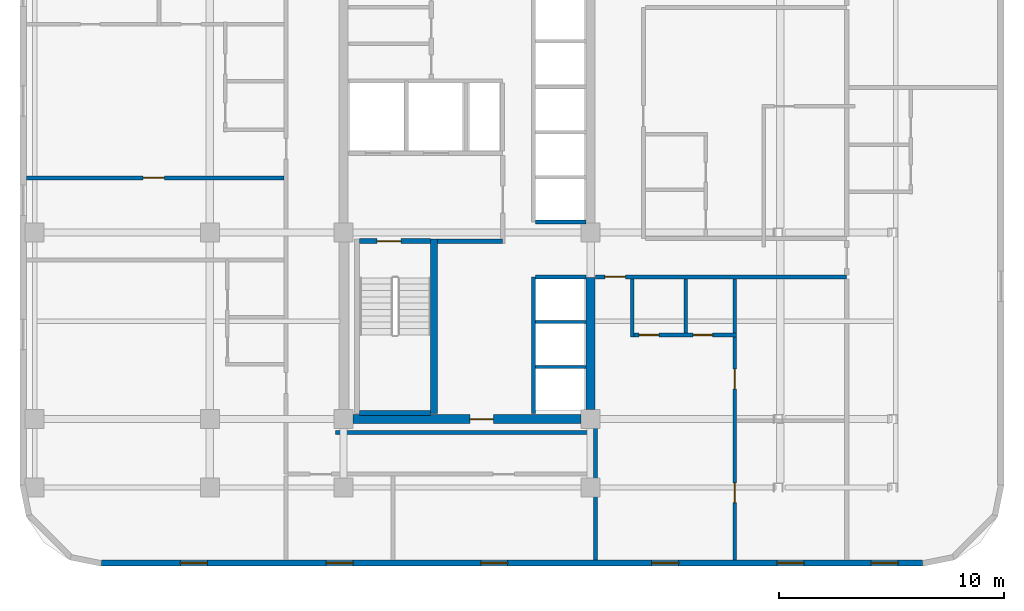
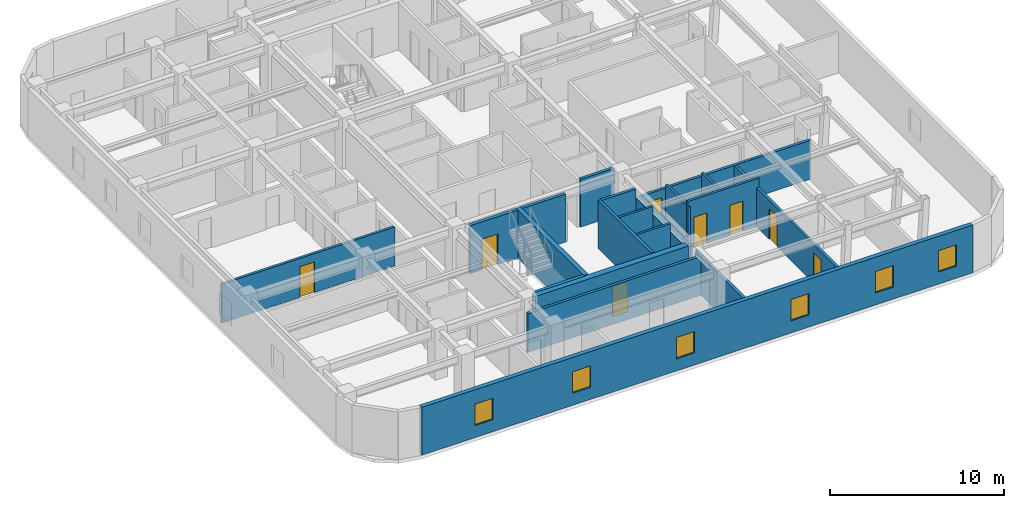
# One storey, part 3 of 8: 20 walls, 8 doors, 6 windows, 14 openings.
"""IFC4 building model written with IfcOpenShell, lengths in metres."""

from ifc_helpers import new_model, si_unit, direction, frame, frame_2d, origin, place, context, subcontext, project, spatial, rectangle, extrude, material, layer, layer_set, type_object, element, fill, save


model = new_model("IFC4")

# Units and contexts
model_context = context("Model", 3, precision=1e-05, world=origin(), true_north=direction((0.0, 1.0)))
body_context = subcontext(model_context, "Body", "Model", "MODEL_VIEW")
ifc_project = project(units=[si_unit("LENGTHUNIT", "METRE"), si_unit("AREAUNIT", "SQUARE_METRE"), si_unit("VOLUMEUNIT", "CUBIC_METRE"), si_unit("PLANEANGLEUNIT", "RADIAN"), si_unit("MASSUNIT", "GRAM", prefix="KILO")], contexts=[model_context])

# Site, building, storey
site_placement = place(None, origin())
site = spatial("IfcSite", under=ifc_project, at=site_placement, CompositionType="ELEMENT")
building_placement = place(site_placement, origin())
building = spatial("IfcBuilding", under=site, at=building_placement, Name="Ochreholt Gables", CompositionType="ELEMENT")
storey_placement = place(building_placement, frame((0.0, 0.0, 102.60009765625)))
storey = spatial("IfcBuildingStorey", under=building, at=storey_placement, Name="L26", CompositionType="ELEMENT", Elevation=102.60009765625)

# Wall
ifc_material_1 = material(Name="Concrete 60 MPa", Category="concrete")
ifc_layer_1 = layer(ifc_material_1, 0.39990234375, Name="Concrete 60 MPa")
ifc_layer_set_1 = layer_set([ifc_layer_1], Name="Concrete 60 MPa")
wall_type_1 = type_object("IfcWallType", Name="WALL-CSW-400", PredefinedType="SHEAR", material=ifc_layer_set_1)
wall_1_placement = place(storey_placement, frame((35.199951171875, 9.675048828125, 0.0), z_axis=(0.0, 0.0, 1.0), x_axis=(0.0, 1.0, 0.0)))
element("IfcWall", 1, at=wall_1_placement, inside=storey, type_object=wall_type_1, Name="L26 Core South-East Shear Wall", PredefinedType="SHEAR", context=body_context, shape_type="SweptSolid", body=[
    extrude(rectangle(XDim=5.875, YDim=0.39990234375, at=frame_2d((2.9375, 0.0))), origin(), (0.0, 0.0, 1.0), 2.7490234375),
])

# Wall, opening, door
wall_2_placement = place(storey_placement, frame((24.625, 9.25, 0.0), z_axis=(0.0, 0.0, 1.0), x_axis=(1.0, 0.0, 0.0)))
wall_2 = element("IfcWall", 2, at=wall_2_placement, inside=storey, type_object=wall_type_1, Name="L26 Core South Shear Wall", PredefinedType="SHEAR", context=body_context, shape_type="SweptSolid", body=[
    extrude(rectangle(XDim=10.14990234375, YDim=0.39990234375, at=frame_2d((5.074951171875, 0.0))), origin(), (0.0, 0.0, 1.0), 3.35986328125),
])
opening_1_placement = place(wall_2_placement, frame((5.199951171875, 0.0, 0.0)))
opening_1 = element("IfcOpeningElement", 3, at=opening_1_placement, cuts=wall_2, Name="Opening D-FLB", PredefinedType="OPENING", context=body_context, shape_type="SweptSolid", body=[
    extrude(rectangle(XDim=1.050048828125, YDim=2.14990234375, at=frame_2d((0.52490234375, 1.074951171875))), frame((0.0, 0.2099609375, 0.0), z_axis=(0.0, -1.0, 0.0), x_axis=(1.0, 0.0, 0.0)), (0.0, 0.0, 1.0), 0.419921875),
])
ifc_material_2 = material(Name="Hollow Metal Steel", Category="steel")
door_type_1 = type_object("IfcDoorType", Name="DR-INT-FLB1050", OperationType="NOTDEFINED", PredefinedType="DOOR", material=ifc_material_2)
door_1_placement = place(opening_1_placement, origin())
door_1 = element("IfcDoor", 4, at=door_1_placement, inside=storey, type_object=door_type_1, Name="L26 Door D-C2CRS-L26", OperationType="SINGLE_SWING_LEFT", OverallHeight=2.14990234375, OverallWidth=1.050048828125, PredefinedType="DOOR", context=body_context, shape_type="SweptSolid", body=[
    extrude(rectangle(XDim=1.050048828125, YDim=2.14990234375, at=frame_2d((0.52490234375, 1.074951171875))), frame((0.0, 0.02490234375, 0.0), z_axis=(0.0, -1.0, 0.0), x_axis=(1.0, 0.0, 0.0)), (0.0, 0.0, 1.0), 0.050048828125),
])
fill(opening_1, door_1)

# Wall, openings, windows
ifc_material_3 = material(Name="Precast concrete 40 MPa", Category="concrete")
ifc_layer_2 = layer(ifc_material_3, 0.280029296875, Name="Precast concrete 40 MPa")
ifc_layer_set_2 = layer_set([ifc_layer_2], Name="Precast concrete 40 MPa")
wall_type_2 = type_object("IfcWallType", Name="WALL-EXT-280", PredefinedType="SOLIDWALL", material=ifc_layer_set_2)
wall_3_placement = place(storey_placement, frame((13.419921875, 2.840087890625, 0.0), z_axis=(0.0, 0.0, 1.0), x_axis=(1.0, 0.0, 0.0)))
wall_3 = element("IfcWall", 5, at=wall_3_placement, inside=storey, type_object=wall_type_2, Name="L26 South Exterior Wall", PredefinedType="SOLIDWALL", context=body_context, shape_type="SweptSolid", body=[
    extrude(rectangle(XDim=36.56005859375, YDim=0.280029296875, at=frame_2d((18.280029296875, 0.0))), origin(), (0.0, 0.0, 1.0), 3.35986328125),
])
opening_2_placement = place(wall_3_placement, frame((3.514892578125, 0.0, 0.85009765625)))
opening_2 = element("IfcOpeningElement", 6, at=opening_2_placement, cuts=wall_3, Name="Opening WN-3", PredefinedType="OPENING", context=body_context, shape_type="SweptSolid", body=[
    extrude(rectangle(XDim=1.199951171875, YDim=1.5, at=frame_2d((0.60009765625, 0.75))), frame((0.0, 0.14990234375, 0.0), z_axis=(0.0, -1.0, 0.0), x_axis=(1.0, 0.0, 0.0)), (0.0, 0.0, 1.0), 0.300048828125),
])
opening_3_placement = place(wall_3_placement, frame((10.0048828125, 0.0, 0.85009765625)))
opening_3 = element("IfcOpeningElement", 7, at=opening_3_placement, cuts=wall_3, Name="Opening WN-3", PredefinedType="OPENING", context=body_context, shape_type="SweptSolid", body=[
    extrude(rectangle(XDim=1.199951171875, YDim=1.5, at=frame_2d((0.60009765625, 0.75))), frame((0.0, 0.14990234375, 0.0), z_axis=(0.0, -1.0, 0.0), x_axis=(1.0, 0.0, 0.0)), (0.0, 0.0, 1.0), 0.300048828125),
])
opening_4_placement = place(wall_3_placement, frame((16.889892578125, 0.0, 0.85009765625)))
opening_4 = element("IfcOpeningElement", 8, at=opening_4_placement, cuts=wall_3, Name="Opening WN-3", PredefinedType="OPENING", context=body_context, shape_type="SweptSolid", body=[
    extrude(rectangle(XDim=1.199951171875, YDim=1.5, at=frame_2d((0.60009765625, 0.75))), frame((0.0, 0.14990234375, 0.0), z_axis=(0.0, -1.0, 0.0), x_axis=(1.0, 0.0, 0.0)), (0.0, 0.0, 1.0), 0.300048828125),
])
opening_5_placement = place(wall_3_placement, frame((24.4951171875, 0.0, 0.85009765625)))
opening_5 = element("IfcOpeningElement", 9, at=opening_5_placement, cuts=wall_3, Name="Opening WN-3", PredefinedType="OPENING", context=body_context, shape_type="SweptSolid", body=[
    extrude(rectangle(XDim=1.199951171875, YDim=1.5, at=frame_2d((0.60009765625, 0.75))), frame((0.0, 0.14990234375, 0.0), z_axis=(0.0, -1.0, 0.0), x_axis=(1.0, 0.0, 0.0)), (0.0, 0.0, 1.0), 0.300048828125),
])
opening_6_placement = place(wall_3_placement, frame((30.0849609375, 0.0, 0.85009765625)))
opening_6 = element("IfcOpeningElement", 10, at=opening_6_placement, cuts=wall_3, Name="Opening WN-3", PredefinedType="OPENING", context=body_context, shape_type="SweptSolid", body=[
    extrude(rectangle(XDim=1.199951171875, YDim=1.5, at=frame_2d((0.60009765625, 0.75))), frame((0.0, 0.14990234375, 0.0), z_axis=(0.0, -1.0, 0.0), x_axis=(1.0, 0.0, 0.0)), (0.0, 0.0, 1.0), 0.300048828125),
])
opening_7_placement = place(wall_3_placement, frame((34.27001953125, 0.0, 0.85009765625)))
opening_7 = element("IfcOpeningElement", 11, at=opening_7_placement, cuts=wall_3, Name="Opening WN-3", PredefinedType="OPENING", context=body_context, shape_type="SweptSolid", body=[
    extrude(rectangle(XDim=1.199951171875, YDim=1.5, at=frame_2d((0.60009765625, 0.75))), frame((0.0, 0.14990234375, 0.0), z_axis=(0.0, -1.0, 0.0), x_axis=(1.0, 0.0, 0.0)), (0.0, 0.0, 1.0), 0.300048828125),
])
ifc_material_4 = material(Name="Triple-Glazed Thermally Broken Aluminium Window", Category="aluminium")
window_type = type_object("IfcWindowType", Name="WIN-RES-1200", PartitioningType="SINGLE_PANEL", PredefinedType="WINDOW", material=ifc_material_4)
window_1_placement = place(opening_2_placement, origin())
window_1 = element("IfcWindow", 12, at=window_1_placement, inside=storey, type_object=window_type, Name="L26 Window W-EXT-S-L26-1", OverallHeight=1.5, OverallWidth=1.199951171875, PartitioningType="SINGLE_PANEL", PredefinedType="WINDOW", context=body_context, shape_type="SweptSolid", body=[
    extrude(rectangle(XDim=1.199951171875, YDim=1.5, at=frame_2d((0.60009765625, 0.75))), frame((0.0, 0.030029296875, 0.0), z_axis=(0.0, -1.0, 0.0), x_axis=(1.0, 0.0, 0.0)), (0.0, 0.0, 1.0), 0.06005859375),
])
fill(opening_2, window_1)
window_2_placement = place(opening_3_placement, origin())
window_2 = element("IfcWindow", 13, at=window_2_placement, inside=storey, type_object=window_type, Name="L26 Window W-EXT-S-L26-2", OverallHeight=1.5, OverallWidth=1.199951171875, PartitioningType="SINGLE_PANEL", PredefinedType="WINDOW", context=body_context, shape_type="SweptSolid", body=[
    extrude(rectangle(XDim=1.199951171875, YDim=1.5, at=frame_2d((0.60009765625, 0.75))), frame((0.0, 0.030029296875, 0.0), z_axis=(0.0, -1.0, 0.0), x_axis=(1.0, 0.0, 0.0)), (0.0, 0.0, 1.0), 0.06005859375),
])
fill(opening_3, window_2)
window_3_placement = place(opening_4_placement, origin())
window_3 = element("IfcWindow", 14, at=window_3_placement, inside=storey, type_object=window_type, Name="L26 Window W-EXT-S-L26-3", OverallHeight=1.5, OverallWidth=1.199951171875, PartitioningType="SINGLE_PANEL", PredefinedType="WINDOW", context=body_context, shape_type="SweptSolid", body=[
    extrude(rectangle(XDim=1.199951171875, YDim=1.5, at=frame_2d((0.60009765625, 0.75))), frame((0.0, 0.030029296875, 0.0), z_axis=(0.0, -1.0, 0.0), x_axis=(1.0, 0.0, 0.0)), (0.0, 0.0, 1.0), 0.06005859375),
])
fill(opening_4, window_3)
window_4_placement = place(opening_5_placement, origin())
window_4 = element("IfcWindow", 15, at=window_4_placement, inside=storey, type_object=window_type, Name="L26 Window W-EXT-S-L26-4", OverallHeight=1.5, OverallWidth=1.199951171875, PartitioningType="SINGLE_PANEL", PredefinedType="WINDOW", context=body_context, shape_type="SweptSolid", body=[
    extrude(rectangle(XDim=1.199951171875, YDim=1.5, at=frame_2d((0.60009765625, 0.75))), frame((0.0, 0.030029296875, 0.0), z_axis=(0.0, -1.0, 0.0), x_axis=(1.0, 0.0, 0.0)), (0.0, 0.0, 1.0), 0.06005859375),
])
fill(opening_5, window_4)
window_5_placement = place(opening_6_placement, origin())
window_5 = element("IfcWindow", 16, at=window_5_placement, inside=storey, type_object=window_type, Name="L26 Window W-EXT-S-L26-5", OverallHeight=1.5, OverallWidth=1.199951171875, PartitioningType="SINGLE_PANEL", PredefinedType="WINDOW", context=body_context, shape_type="SweptSolid", body=[
    extrude(rectangle(XDim=1.199951171875, YDim=1.5, at=frame_2d((0.60009765625, 0.75))), frame((0.0, 0.030029296875, 0.0), z_axis=(0.0, -1.0, 0.0), x_axis=(1.0, 0.0, 0.0)), (0.0, 0.0, 1.0), 0.06005859375),
])
fill(opening_6, window_5)
window_6_placement = place(opening_7_placement, origin())
window_6 = element("IfcWindow", 17, at=window_6_placement, inside=storey, type_object=window_type, Name="L26 Window W-EXT-S-L26-6", OverallHeight=1.5, OverallWidth=1.199951171875, PartitioningType="SINGLE_PANEL", PredefinedType="WINDOW", context=body_context, shape_type="SweptSolid", body=[
    extrude(rectangle(XDim=1.199951171875, YDim=1.5, at=frame_2d((0.60009765625, 0.75))), frame((0.0, 0.030029296875, 0.0), z_axis=(0.0, -1.0, 0.0), x_axis=(1.0, 0.0, 0.0)), (0.0, 0.0, 1.0), 0.06005859375),
])
fill(opening_7, window_6)

# Wall
ifc_material_5 = material(Name="Concrete 40 MPa", Category="concrete")
ifc_layer_3 = layer(ifc_material_5, 0.199951171875, Name="Concrete 40 MPa")
ifc_layer_set_3 = layer_set([ifc_layer_3], Name="Concrete 40 MPa")
wall_type_3 = type_object("IfcWallType", Name="WALL-INT-CF200", PredefinedType="STANDARD", material=ifc_layer_set_3)
wall_4_placement = place(storey_placement, frame((28.3798828125, 17.169921875, 0.0), z_axis=(0.0, 0.0, 1.0), x_axis=(1.0, 0.0, 0.0)))
element("IfcWall", 18, at=wall_4_placement, inside=storey, type_object=wall_type_3, Name="L26 Interior Wall WI-FFS-L26", PredefinedType="STANDARD", context=body_context, shape_type="SweptSolid", body=[
    extrude(rectangle(XDim=2.900146484375, YDim=0.199951171875, at=frame_2d((1.4501953125, 0.0))), origin(), (0.0, 0.0, 1.0), 3.35986328125),
])

# Wall, opening, door
ifc_material_6 = material(Name="Fire-Rated Gypsum Acoustic Partition", Category="gypsum")
ifc_layer_4 = layer(ifc_material_6, 0.179931640625, Name="Fire-Rated Gypsum Acoustic Partition")
ifc_layer_set_4 = layer_set([ifc_layer_4], Name="Fire-Rated Gypsum Acoustic Partition")
wall_type_4 = type_object("IfcWallType", Name="WALL-INT-CR180", PredefinedType="STANDARD", material=ifc_layer_set_4)
wall_5_placement = place(storey_placement, frame((35.419921875, 15.580078125, 0.0), z_axis=(0.0, 0.0, 1.0), x_axis=(1.0, 0.0, 0.0)))
wall_5 = element("IfcWall", 19, at=wall_5_placement, inside=storey, type_object=wall_type_4, Name="L26 Interior Wall WI-C2SS1-L26", PredefinedType="STANDARD", context=body_context, shape_type="SweptSolid", body=[
    extrude(rectangle(XDim=11.18017578125, YDim=0.179931640625, at=frame_2d((5.590087890625, 0.0))), origin(), (0.0, 0.0, 1.0), 2.73095703125),
])
opening_8_placement = place(wall_5_placement, frame((0.409912109375, 0.0, 0.0)))
opening_8 = element("IfcOpeningElement", 20, at=opening_8_placement, cuts=wall_5, Name="Opening D-UN1", PredefinedType="OPENING", context=body_context, shape_type="SweptSolid", body=[
    extrude(rectangle(XDim=0.919921875, YDim=2.14990234375, at=frame_2d((0.4599609375, 1.074951171875))), frame((0.0, 0.099853515625, 0.0), z_axis=(0.0, -1.0, 0.0), x_axis=(1.0, 0.0, 0.0)), (0.0, 0.0, 1.0), 0.199951171875),
])
ifc_material_7 = material(Name="Engineered Oak Timber", Category="wood")
door_type_2 = type_object("IfcDoorType", Name="DR-INT-UNT920", OperationType="NOTDEFINED", PredefinedType="DOOR", material=ifc_material_7)
door_2_placement = place(opening_8_placement, origin())
door_2 = element("IfcDoor", 21, at=door_2_placement, inside=storey, type_object=door_type_2, Name="L26 Door D-U-L26S1-ENT", OperationType="SINGLE_SWING_RIGHT", OverallHeight=2.14990234375, OverallWidth=0.919921875, PredefinedType="DOOR", context=body_context, shape_type="SweptSolid", body=[
    extrude(rectangle(XDim=0.919921875, YDim=2.14990234375, at=frame_2d((0.4599609375, 1.074951171875))), frame((0.0, 0.02490234375, 0.0), z_axis=(0.0, -1.0, 0.0), x_axis=(1.0, 0.0, 0.0)), (0.0, 0.0, 1.0), 0.050048828125),
])
fill(opening_8, door_2)

# Walls
wall_6_placement = place(storey_placement, frame((23.85009765625, 8.64990234375, 0.0), z_axis=(0.0, 0.0, 1.0), x_axis=(1.0, 0.0, 0.0)))
element("IfcWall", 22, at=wall_6_placement, inside=storey, type_object=wall_type_4, Name="L26 Interior Wall WI-C2WCS2-L26", PredefinedType="STANDARD", context=body_context, shape_type="SweptSolid", body=[
    extrude(rectangle(XDim=11.56982421875, YDim=0.179931640625, at=frame_2d((5.784912109375, 0.0))), origin(), (0.0, 0.0, 1.0), 2.73095703125),
])
ifc_material_8 = material(Name="Double-Stud Acoustic Demising Wall", Category="gypsum")
ifc_layer_5 = layer(ifc_material_8, 0.179931640625, Name="Double-Stud Acoustic Demising Wall")
ifc_layer_set_5 = layer_set([ifc_layer_5], Name="Double-Stud Acoustic Demising Wall")
wall_type_5 = type_object("IfcWallType", Name="WALL-INT-DM180", PredefinedType="PARTITIONING", material=ifc_layer_set_5)
wall_7_placement = place(storey_placement, frame((35.419921875, 2.97998046875, 0.0), z_axis=(0.0, 0.0, 1.0), x_axis=(0.0, 1.0, 0.0)))
element("IfcWall", 23, at=wall_7_placement, inside=storey, type_object=wall_type_5, Name="L26 Interior Wall WI-C2SES-L26", PredefinedType="PARTITIONING", context=body_context, shape_type="SweptSolid", body=[
    extrude(rectangle(XDim=6.27001953125, YDim=0.179931640625, at=frame_2d((3.135009765625, 0.0))), origin(), (0.0, 0.0, 1.0), 2.73095703125),
])

# Wall, openings, doors
ifc_material_9 = material(Name="Moisture-Resistant Plumbing Chase Wall", Category="gypsum")
ifc_layer_6 = layer(ifc_material_9, 0.159912109375, Name="Moisture-Resistant Plumbing Chase Wall")
ifc_layer_set_6 = layer_set([ifc_layer_6], Name="Moisture-Resistant Plumbing Chase Wall")
wall_type_6 = type_object("IfcWallType", Name="WALL-INT-PL160", PredefinedType="PLUMBINGWALL", material=ifc_layer_set_6)
wall_8_placement = place(storey_placement, frame((36.97998046875, 12.992431640625, 0.0), z_axis=(0.0, 0.0, 1.0), x_axis=(1.0, 0.0, 0.0)))
wall_8 = element("IfcWall", 24, at=wall_8_placement, inside=storey, type_object=wall_type_6, Name="L26 Interior Wall WU-L26S1-WY", PredefinedType="PLUMBINGWALL", context=body_context, shape_type="SweptSolid", body=[
    extrude(rectangle(XDim=4.7099609375, YDim=0.159912109375, at=frame_2d((2.35498046875, 0.0))), origin(), (0.0, 0.0, 1.0), 3.35986328125),
])
opening_9_placement = place(wall_8_placement, frame((0.3798828125, 0.0, 0.0)))
opening_9 = element("IfcOpeningElement", 25, at=opening_9_placement, cuts=wall_8, Name="Opening D-GN2", PredefinedType="OPENING", context=body_context, shape_type="SweptSolid", body=[
    extrude(rectangle(XDim=0.8798828125, YDim=2.1201171875, at=frame_2d((0.43994140625, 1.06005859375))), frame((0.0, 0.08984375, 0.0), z_axis=(0.0, -1.0, 0.0), x_axis=(1.0, 0.0, 0.0)), (0.0, 0.0, 1.0), 0.179931640625),
])
opening_10_placement = place(wall_8_placement, frame((2.785888671875, 0.0, 0.0)))
opening_10 = element("IfcOpeningElement", 26, at=opening_10_placement, cuts=wall_8, Name="Opening D-BT1", PredefinedType="OPENING", context=body_context, shape_type="SweptSolid", body=[
    extrude(rectangle(XDim=0.860107421875, YDim=2.1201171875, at=frame_2d((0.43017578125, 1.06005859375))), frame((0.0, 0.08984375, 0.0), z_axis=(0.0, -1.0, 0.0), x_axis=(1.0, 0.0, 0.0)), (0.0, 0.0, 1.0), 0.179931640625),
])
door_type_3 = type_object("IfcDoorType", Name="DR-INT-BTH860", OperationType="NOTDEFINED", PredefinedType="DOOR", material=ifc_material_7)
door_3_placement = place(opening_10_placement, origin())
door_3 = element("IfcDoor", 27, at=door_3_placement, inside=storey, type_object=door_type_3, Name="L26 Door D-U-L26S1-BTH", OperationType="SINGLE_SWING_RIGHT", OverallHeight=2.1201171875, OverallWidth=0.860107421875, PredefinedType="DOOR", context=body_context, shape_type="SweptSolid", body=[
    extrude(rectangle(XDim=0.860107421875, YDim=2.1201171875, at=frame_2d((0.43017578125, 1.06005859375))), frame((0.0, 0.02490234375, 0.0), z_axis=(0.0, -1.0, 0.0), x_axis=(1.0, 0.0, 0.0)), (0.0, 0.0, 1.0), 0.050048828125),
])
fill(opening_10, door_3)
door_type_4 = type_object("IfcDoorType", Name="DR-INT-GEN880", OperationType="NOTDEFINED", PredefinedType="DOOR", material=ifc_material_7)
door_4_placement = place(opening_9_placement, origin())
door_4 = element("IfcDoor", 28, at=door_4_placement, inside=storey, type_object=door_type_4, Name="L26 Door D-U-L26S1-KIT", OperationType="SINGLE_SWING_LEFT", OverallHeight=2.1201171875, OverallWidth=0.8798828125, PredefinedType="DOOR", context=body_context, shape_type="SweptSolid", body=[
    extrude(rectangle(XDim=0.8798828125, YDim=2.1201171875, at=frame_2d((0.43994140625, 1.06005859375))), frame((0.0, 0.02490234375, 0.0), z_axis=(0.0, -1.0, 0.0), x_axis=(1.0, 0.0, 0.0)), (0.0, 0.0, 1.0), 0.050048828125),
])
fill(opening_9, door_4)

# Walls
wall_9_placement = place(storey_placement, frame((37.06005859375, 12.91259765625, 0.0), z_axis=(0.0, 0.0, 1.0), x_axis=(0.0, 1.0, 0.0)))
element("IfcWall", 29, at=wall_9_placement, inside=storey, type_object=wall_type_6, Name="L26 Interior Wall WU-L26S1-FY", PredefinedType="PLUMBINGWALL", context=body_context, shape_type="SweptSolid", body=[
    extrude(rectangle(XDim=2.577392578125, YDim=0.159912109375, at=frame_2d((1.28857421875, 0.0))), origin(), (0.0, 0.0, 1.0), 2.98779296875),
])
wall_10_placement = place(storey_placement, frame((39.426025390625, 13.072509765625, 0.0), z_axis=(0.0, 0.0, 1.0), x_axis=(0.0, 1.0, 0.0)))
element("IfcWall", 30, at=wall_10_placement, inside=storey, type_object=wall_type_6, Name="L26 Interior Wall WU-L26S1-WK", PredefinedType="PLUMBINGWALL", context=body_context, shape_type="SweptSolid", body=[
    extrude(rectangle(XDim=2.41748046875, YDim=0.159912109375, at=frame_2d((1.208740234375, 0.0))), origin(), (0.0, 0.0, 1.0), 2.98779296875),
])

# Wall, openings, doors
ifc_material_10 = material(Name="Gypsum Acoustic Stud Partition", Category="gypsum")
ifc_layer_7 = layer(ifc_material_10, 0.1650390625, Name="Gypsum Acoustic Stud Partition")
ifc_layer_set_7 = layer_set([ifc_layer_7], Name="Gypsum Acoustic Stud Partition")
wall_type_7 = type_object("IfcWallType", Name="WALL-INT-PT165", PredefinedType="PARTITIONING", material=ifc_layer_set_7)
wall_11_placement = place(storey_placement, frame((41.610107421875, 2.97998046875, 0.0), z_axis=(0.0, 0.0, 1.0), x_axis=(0.0, 1.0, 0.0)))
wall_11 = element("IfcWall", 31, at=wall_11_placement, inside=storey, type_object=wall_type_7, Name="L26 Interior Wall WU-L26S1-MNX", PredefinedType="PARTITIONING", context=body_context, shape_type="SweptSolid", body=[
    extrude(rectangle(XDim=12.510009765625, YDim=0.1650390625, at=frame_2d((6.2548828125, 0.0))), origin(), (0.0, 0.0, 1.0), 2.73095703125),
])
opening_11_placement = place(wall_11_placement, frame((2.544921875, 0.0, 0.0)))
opening_11 = element("IfcOpeningElement", 32, at=opening_11_placement, cuts=wall_11, Name="Opening D-BD2", PredefinedType="OPENING", context=body_context, shape_type="SweptSolid", body=[
    extrude(rectangle(XDim=0.8798828125, YDim=2.139892578125, at=frame_2d((0.43994140625, 1.06982421875))), frame((0.0, 0.092529296875, 0.0), z_axis=(0.0, -1.0, 0.0), x_axis=(1.0, 0.0, 0.0)), (0.0, 0.0, 1.0), 0.18505859375),
])
opening_12_placement = place(wall_11_placement, frame((7.6162109375, 0.0, 0.0)))
opening_12 = element("IfcOpeningElement", 33, at=opening_12_placement, cuts=wall_11, Name="Opening D-BD2", PredefinedType="OPENING", context=body_context, shape_type="SweptSolid", body=[
    extrude(rectangle(XDim=0.8798828125, YDim=2.139892578125, at=frame_2d((0.43994140625, 1.06982421875))), frame((0.0, 0.092529296875, 0.0), z_axis=(0.0, -1.0, 0.0), x_axis=(1.0, 0.0, 0.0)), (0.0, 0.0, 1.0), 0.18505859375),
])
door_type_5 = type_object("IfcDoorType", Name="DR-INT-BED880", OperationType="NOTDEFINED", PredefinedType="DOOR", material=ifc_material_7)
door_5_placement = place(opening_11_placement, origin())
door_5 = element("IfcDoor", 34, at=door_5_placement, inside=storey, type_object=door_type_5, Name="L26 Door D-U-L26S1-BD1", OperationType="SINGLE_SWING_RIGHT", OverallHeight=2.139892578125, OverallWidth=0.8798828125, PredefinedType="DOOR", context=body_context, shape_type="SweptSolid", body=[
    extrude(rectangle(XDim=0.8798828125, YDim=2.139892578125, at=frame_2d((0.43994140625, 1.06982421875))), frame((0.0, 0.02490234375, 0.0), z_axis=(0.0, -1.0, 0.0), x_axis=(1.0, 0.0, 0.0)), (0.0, 0.0, 1.0), 0.050048828125),
])
fill(opening_11, door_5)
door_6_placement = place(opening_12_placement, origin())
door_6 = element("IfcDoor", 35, at=door_6_placement, inside=storey, type_object=door_type_5, Name="L26 Door D-U-L26S1-BD2", OperationType="SINGLE_SWING_LEFT", OverallHeight=2.139892578125, OverallWidth=0.8798828125, PredefinedType="DOOR", context=body_context, shape_type="SweptSolid", body=[
    extrude(rectangle(XDim=0.8798828125, YDim=2.139892578125, at=frame_2d((0.43994140625, 1.06982421875))), frame((0.0, 0.02490234375, 0.0), z_axis=(0.0, -1.0, 0.0), x_axis=(1.0, 0.0, 0.0)), (0.0, 0.0, 1.0), 0.050048828125),
])
fill(opening_12, door_6)

# Wall, opening, door
wall_12_placement = place(storey_placement, frame((10.080078125, 19.984130859375, 0.0), z_axis=(0.0, 0.0, 1.0), x_axis=(1.0, 0.0, 0.0)))
wall_12 = element("IfcWall", 36, at=wall_12_placement, inside=storey, type_object=wall_type_7, Name="L26 Interior Wall WU-L26W2-DNW", PredefinedType="PARTITIONING", context=body_context, shape_type="SweptSolid", body=[
    extrude(rectangle(XDim=11.47998046875, YDim=0.1650390625, at=frame_2d((5.739990234375, 0.0))), origin(), (0.0, 0.0, 1.0), 2.73095703125),
])
opening_13_placement = place(wall_12_placement, frame((5.195068359375, 0.0, 0.0)))
opening_13 = element("IfcOpeningElement", 37, at=opening_13_placement, cuts=wall_12, Name="Opening D-GN1", PredefinedType="OPENING", context=body_context, shape_type="SweptSolid", body=[
    extrude(rectangle(XDim=0.949951171875, YDim=2.14990234375, at=frame_2d((0.47509765625, 1.074951171875))), frame((0.0, 0.092529296875, 0.0), z_axis=(0.0, -1.0, 0.0), x_axis=(1.0, 0.0, 0.0)), (0.0, 0.0, 1.0), 0.18505859375),
])
door_type_6 = type_object("IfcDoorType", Name="DR-INT-GEN950", OperationType="NOTDEFINED", PredefinedType="DOOR", material=ifc_material_7)
door_7_placement = place(opening_13_placement, origin())
door_7 = element("IfcDoor", 38, at=door_7_placement, inside=storey, type_object=door_type_6, Name="L26 Door D-U-L26W2-DIN", OperationType="SINGLE_SWING_LEFT", OverallHeight=2.14990234375, OverallWidth=0.949951171875, PredefinedType="DOOR", context=body_context, shape_type="SweptSolid", body=[
    extrude(rectangle(XDim=0.949951171875, YDim=2.14990234375, at=frame_2d((0.47509765625, 1.074951171875))), frame((0.0, 0.02490234375, 0.0), z_axis=(0.0, -1.0, 0.0), x_axis=(1.0, 0.0, 0.0)), (0.0, 0.0, 1.0), 0.050048828125),
])
fill(opening_13, door_7)

# Walls
ifc_material_11 = material(Name="Gypsum Shaftliner and Steel Stud", Category="steel")
ifc_layer_8 = layer(ifc_material_11, 0.14990234375, Name="Gypsum Shaftliner and Steel Stud")
ifc_layer_set_8 = layer_set([ifc_layer_8], Name="Gypsum Shaftliner and Steel Stud")
wall_type_8 = type_object("IfcWallType", Name="WALL-INT-SH150", PredefinedType="STANDARD", material=ifc_layer_set_8)
for number, where, z_axis, x_axis, name in (
    (39, (32.739990234375, 11.570068359375, 0.0), (0.0, 0.0, 1.0), (1.0, 0.0, 0.0), "L26 Interior Wall WI-LFL-D1-L26"),
    (40, (32.739990234375, 13.570068359375, 0.0), (0.0, 0.0, 1.0), (1.0, 0.0, 0.0), "L26 Interior Wall WI-LFL-D2-L26"),
):
    element("IfcWall", number, at=place(storey_placement, frame(where, z_axis=z_axis, x_axis=x_axis)), inside=storey, type_object=wall_type_8, Name=name, PredefinedType="STANDARD", context=body_context, shape_type="SweptSolid", body=[
        extrude(rectangle(XDim=2.260009765625, YDim=0.14990234375, at=frame_2d((1.1298828125, 0.0))), origin(), (0.0, 0.0, 1.0), 3.35986328125),
    ])
ifc_layer_9 = layer(ifc_material_11, 0.179931640625, Name="Gypsum Shaftliner and Steel Stud")
ifc_layer_set_9 = layer_set([ifc_layer_9], Name="Gypsum Shaftliner and Steel Stud")
wall_type_9 = type_object("IfcWallType", Name="WALL-INT-SH180", PredefinedType="STANDARD", material=ifc_layer_set_9)
wall_13_placement = place(storey_placement, frame((32.64990234375, 9.5, 0.0), z_axis=(0.0, 0.0, 1.0), x_axis=(0.0, 1.0, 0.0)))
element("IfcWall", 41, at=wall_13_placement, inside=storey, type_object=wall_type_9, Name="L26 Interior Wall WI-LFL-FR-L26", PredefinedType="STANDARD", context=body_context, shape_type="SweptSolid", body=[
    extrude(rectangle(XDim=6.080078125, YDim=0.179931640625, at=frame_2d((3.0400390625, 0.0))), origin(), (0.0, 0.0, 1.0), 3.35986328125),
])
for number, where, z_axis, x_axis, name in (
    (42, (32.739990234375, 15.580078125, 0.0), (0.0, 0.0, 1.0), (1.0, 0.0, 0.0), "L26 Interior Wall WI-LFL-N-L26"),
    (43, (32.739990234375, 18.02001953125, 0.0), (0.0, 0.0, 1.0), (1.0, 0.0, 0.0), "L26 Interior Wall WI-LFHE-S-L26"),
):
    element("IfcWall", number, at=place(storey_placement, frame(where, z_axis=z_axis, x_axis=x_axis)), inside=storey, type_object=wall_type_9, Name=name, PredefinedType="STANDARD", context=body_context, shape_type="SweptSolid", body=[
        extrude(rectangle(XDim=2.260009765625, YDim=0.179931640625, at=frame_2d((1.1298828125, 0.0))), origin(), (0.0, 0.0, 1.0), 3.35986328125),
    ])
ifc_layer_10 = layer(ifc_material_1, 0.300048828125, Name="Concrete 60 MPa")
ifc_layer_set_10 = layer_set([ifc_layer_10], Name="Concrete 60 MPa")
wall_type_10 = type_object("IfcWallType", Name="WALL-SPN-300", PredefinedType="SHEAR", material=ifc_layer_set_10)
wall_14_placement = place(storey_placement, frame((28.22998046875, 9.5, 0.0), z_axis=(0.0, 0.0, 1.0), x_axis=(0.0, 1.0, 0.0)))
element("IfcWall", 44, at=wall_14_placement, inside=storey, type_object=wall_type_10, Name="L26 Core South Spine Shear Wall", PredefinedType="SHEAR", context=body_context, shape_type="SweptSolid", body=[
    extrude(rectangle(XDim=7.760009765625, YDim=0.300048828125, at=frame_2d((3.8798828125, 0.0))), origin(), (0.0, 0.0, 1.0), 3.35986328125),
])
ifc_material_12 = material(Name="Concrete 50 MPa", Category="concrete")
ifc_layer_11 = layer(ifc_material_12, 0.219970703125, Name="Concrete 50 MPa")
ifc_layer_set_11 = layer_set([ifc_layer_11], Name="Concrete 50 MPa")
wall_type_11 = type_object("IfcWallType", Name="WALL-STW-220", PredefinedType="SHEAR", material=ifc_layer_set_11)
wall_15_placement = place(storey_placement, frame((24.919921875, 9.510009765625, 0.0), z_axis=(0.0, 0.0, 1.0), x_axis=(1.0, 0.0, 0.0)))
element("IfcWall", 45, at=wall_15_placement, inside=storey, type_object=wall_type_11, Name="L26 Exit Stair 1 South Wall", PredefinedType="SHEAR", context=body_context, shape_type="SweptSolid", body=[
    extrude(rectangle(XDim=3.16015625, YDim=0.219970703125, at=frame_2d((1.580078125, 0.0))), origin(), (0.0, 0.0, 1.0), 3.35986328125),
])

# Wall, opening, door
wall_16_placement = place(storey_placement, frame((24.919921875, 17.169921875, 0.0), z_axis=(0.0, 0.0, 1.0), x_axis=(1.0, 0.0, 0.0)))
wall_16 = element("IfcWall", 46, at=wall_16_placement, inside=storey, type_object=wall_type_11, Name="L26 Exit Stair 1 North Wall", PredefinedType="SHEAR", context=body_context, shape_type="SweptSolid", body=[
    extrude(rectangle(XDim=3.16015625, YDim=0.219970703125, at=frame_2d((1.580078125, 0.0))), origin(), (0.0, 0.0, 1.0), 3.35986328125),
])
opening_14_placement = place(wall_16_placement, frame((0.780029296875, 0.0, 0.0)))
opening_14 = element("IfcOpeningElement", 47, at=opening_14_placement, cuts=wall_16, Name="Opening D-STC", PredefinedType="OPENING", context=body_context, shape_type="SweptSolid", body=[
    extrude(rectangle(XDim=1.050048828125, YDim=2.14990234375, at=frame_2d((0.52490234375, 1.074951171875))), frame((0.0, 0.119873046875, 0.0), z_axis=(0.0, -1.0, 0.0), x_axis=(1.0, 0.0, 0.0)), (0.0, 0.0, 1.0), 0.239990234375),
])
door_type_7 = type_object("IfcDoorType", Name="DR-INT-ST1050", OperationType="NOTDEFINED", PredefinedType="DOOR", material=ifc_material_2)
door_8_placement = place(opening_14_placement, frame((1.050048828125, 0.0, 0.0), z_axis=(0.0, 0.0, 1.0), x_axis=(-1.0, 0.0, 0.0)))
door_8 = element("IfcDoor", 48, at=door_8_placement, inside=storey, type_object=door_type_7, Name="L26 Door D-ST1-L26", OperationType="SINGLE_SWING_LEFT", OverallHeight=2.14990234375, OverallWidth=1.050048828125, PredefinedType="DOOR", context=body_context, shape_type="SweptSolid", body=[
    extrude(rectangle(XDim=1.050048828125, YDim=2.14990234375, at=frame_2d((0.52490234375, 1.074951171875))), frame((0.0, 0.02490234375, 0.0), z_axis=(0.0, -1.0, 0.0), x_axis=(1.0, 0.0, 0.0)), (0.0, 0.0, 1.0), 0.050048828125),
])
fill(opening_14, door_8)

save(model, "model.ifc")
